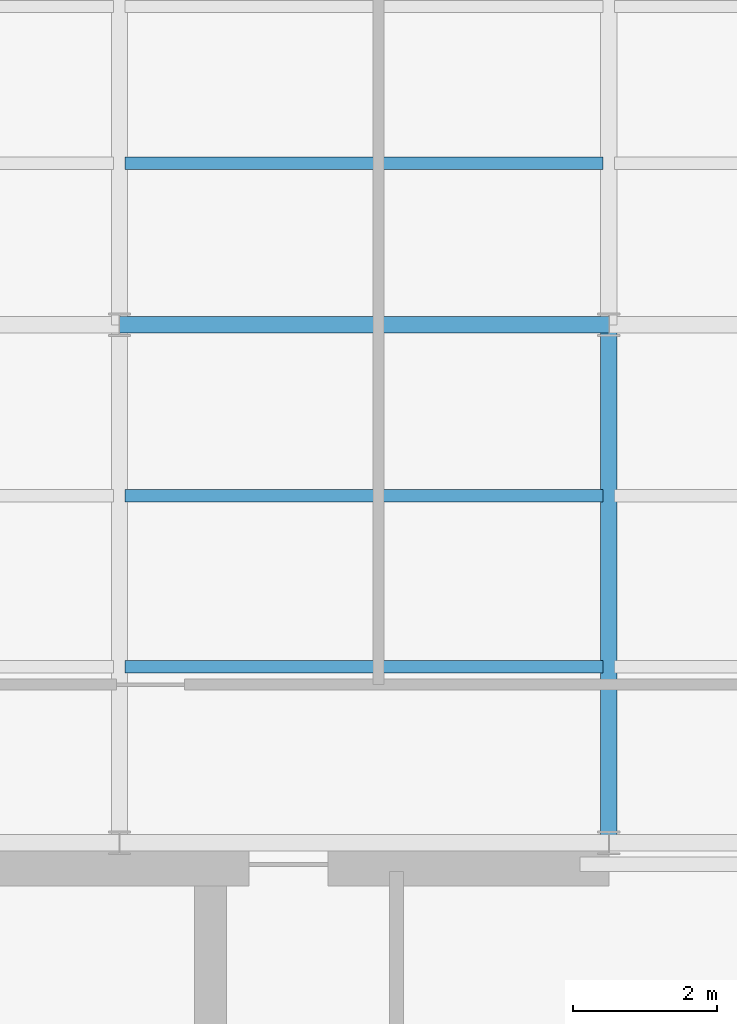
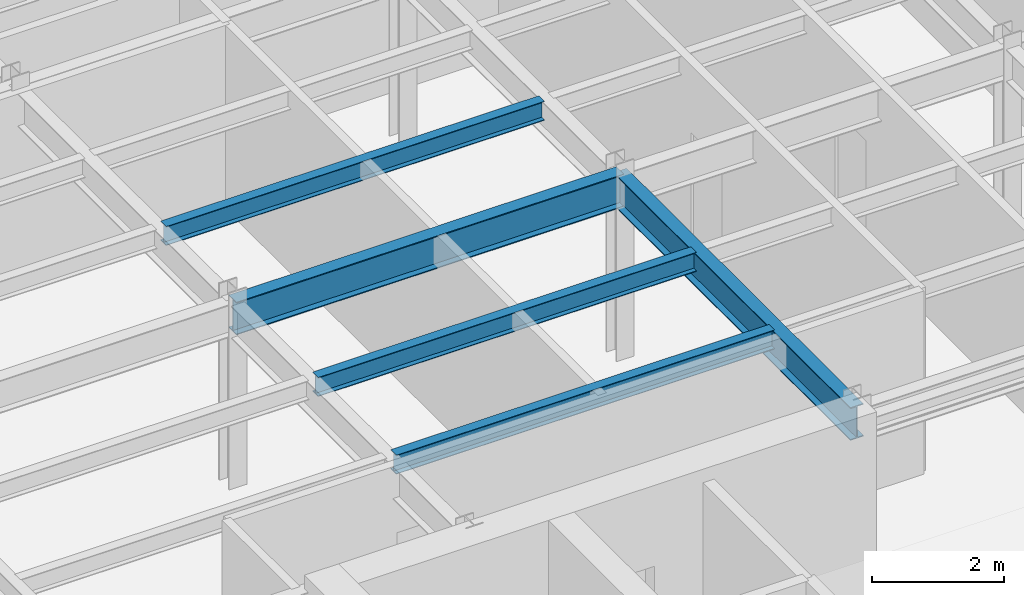
# One storey, part 6 of 22: 5 beams.
"""IFC4 building model written with IfcOpenShell, lengths in metres."""

import ifcopenshell
import ifcopenshell.guid

model = None  # the IFC model being written
_history = None  # IfcOwnerHistory: only IFC2X3 demands one
_inside = {}  # id of a spatial element -> (the spatial element, [elements in it])
_under = {}  # id of a project, library or spatial element -> (it, [spatial elements below it])
_declared = {}  # id of a project -> (the project, [libraries it declares])
_typed = {}  # id of a type object -> (the type object, [elements of that type])
_made_of = {}  # id of a material, layer set ... -> (it, [elements and type objects made of it])


def new_model(schema):
    """Start an empty IFC model of exactly this schema.

    Asked for "IFC4X3", IfcOpenShell would pick the latest addendum, in which some entities
    have other attributes; the version numbers below select the first issue.
    IFC2X3 requires an IfcOwnerHistory on every rooted entity: one is made here for all.
    """
    global model, _history
    if schema == "IFC4X3":
        model = ifcopenshell.file(schema_version=(4, 3, 0, 0))
    else:
        model = ifcopenshell.file(schema=schema)
    _inside.clear()
    _under.clear()
    _declared.clear()
    _typed.clear()
    _made_of.clear()
    _history = None
    if model.schema == "IFC2X3":
        org = make("IfcOrganization", Name="unknown")
        user = make(
            "IfcPersonAndOrganization",
            ThePerson=make("IfcPerson", FamilyName="unknown"),
            TheOrganization=org,
        )
        app = make(
            "IfcApplication",
            ApplicationDeveloper=org,
            Version="unknown",
            ApplicationFullName="unknown",
            ApplicationIdentifier="unknown",
        )
        _history = make(
            "IfcOwnerHistory",
            OwningUser=user,
            OwningApplication=app,
            ChangeAction="ADDED",
            CreationDate=0,
        )
    return model


def make(cls, **values):
    """One entity of the class cls with the attributes given. An attribute that is None is left unset."""
    return model.create_entity(
        cls, **{name: value for name, value in values.items() if value is not None}
    )


def rooted(cls, **values):
    """An entity with a GlobalId (a new one), such as an element, a storey or a relation."""
    return make(cls, GlobalId=ifcopenshell.guid.new(), OwnerHistory=_history, **values)


def si_unit(unit_type, name, prefix=None):
    """IfcSIUnit, for example si_unit("LENGTHUNIT", "METRE", prefix="MILLI")."""
    return make("IfcSIUnit", UnitType=unit_type, Prefix=prefix, Name=name)


def derived_unit(unit_type, elements):
    """IfcDerivedUnit: a product of units, each with its exponent."""
    return make(
        "IfcDerivedUnit",
        Elements=[
            make("IfcDerivedUnitElement", Unit=unit, Exponent=power)
            for unit, power in elements
        ],
        UnitType=unit_type,
    )


def assignment(units):
    """IfcUnitAssignment: the units of a project."""
    return None if units is None else make("IfcUnitAssignment", Units=units)


def point(xyz):
    """IfcCartesianPoint."""
    return None if xyz is None else make("IfcCartesianPoint", Coordinates=xyz)


def direction(xyz):
    """IfcDirection."""
    return None if xyz is None else make("IfcDirection", DirectionRatios=xyz)


def frame(location, z_axis=None, x_axis=None):
    """IfcAxis2Placement3D, a coordinate frame: its origin and axes. An axis left out is left unset."""
    return make(
        "IfcAxis2Placement3D",
        Location=point(location),
        Axis=direction(z_axis),
        RefDirection=direction(x_axis),
    )


def frame_2d(location, x_axis=None):
    """IfcAxis2Placement2D, a coordinate frame in the plane: its origin and x axis."""
    return make(
        "IfcAxis2Placement2D", Location=point(location), RefDirection=direction(x_axis)
    )


def origin():
    """The frame at (0, 0, 0) with its axes left unset."""
    return frame((0.0, 0.0, 0.0))


def origin_2d():
    """The frame at (0, 0) in the plane with its x axis left unset."""
    return frame_2d((0.0, 0.0))


def place(relative_to, where):
    """IfcLocalPlacement: puts the frame where relative to a parent placement (None: the world)."""
    return make(
        "IfcLocalPlacement", PlacementRelTo=relative_to, RelativePlacement=where
    )


def context(
    kind, dimensions, precision=None, world=None, true_north=None, identifier=None
):
    """IfcGeometricRepresentationContext, for example the 3D "Model" context."""
    return make(
        "IfcGeometricRepresentationContext",
        ContextIdentifier=identifier,
        ContextType=kind,
        CoordinateSpaceDimension=dimensions,
        Precision=precision,
        WorldCoordinateSystem=world,
        TrueNorth=true_north,
    )


def subcontext(parent, identifier, kind, view, scale=None):
    """IfcGeometricRepresentationSubContext, for example "Body" below "Model"."""
    return make(
        "IfcGeometricRepresentationSubContext",
        ContextIdentifier=identifier,
        ContextType=kind,
        ParentContext=parent,
        TargetScale=scale,
        TargetView=view,
    )


def project(units=None, contexts=None):
    """IfcProject with its units and contexts."""
    return rooted(
        "IfcProject",
        Name="project",
        RepresentationContexts=contexts,
        UnitsInContext=assignment(units),
    )


def spatial(cls, under=None, at=None, **own):
    """A site, building, storey or space (cls), placed at a placement, below another one or the project."""
    s = rooted(cls, ObjectPlacement=at, **own)
    if under is not None:
        _under.setdefault(under.id(), (under, []))[1].append(s)
    return s


def profile(cls, at=None, kind="AREA", **sizes):
    """A parametric profile (cls). Its sizes go by their IFC names, for example OverallWidth=200.0."""
    return make(cls, ProfileType=kind, Position=at, **sizes)


def i_section(**sizes):
    """IfcIShapeProfileDef."""
    return profile("IfcIShapeProfileDef", **sizes)


def extrude(swept, where, along, depth):
    """IfcExtrudedAreaSolid: the profile swept, set in the frame where, extruded along a direction by depth."""
    return make(
        "IfcExtrudedAreaSolid",
        SweptArea=swept,
        Position=where,
        ExtrudedDirection=direction(along),
        Depth=depth,
    )


def shape(context_of_items, identifier, shape_type, items):
    """IfcShapeRepresentation: the items that make up one representation, for example the "Body"."""
    return make(
        "IfcShapeRepresentation",
        ContextOfItems=context_of_items,
        RepresentationIdentifier=identifier,
        RepresentationType=shape_type,
        Items=items,
    )


def source(mapping_origin, context_of_items, identifier, shape_type, items):
    """IfcRepresentationMap: a shape defined once, which mapped items show again and again."""
    return make(
        "IfcRepresentationMap",
        MappingOrigin=mapping_origin,
        MappedRepresentation=shape(context_of_items, identifier, shape_type, items),
    )


def transform(
    local_origin,
    x_axis=None,
    y_axis=None,
    z_axis=None,
    scale=None,
    scale2=None,
    scale3=None,
    uniform=True,
):
    """IfcCartesianTransformationOperator3D, or its non-uniform kind. x_axis, y_axis, z_axis: its Axis1, 2, 3."""
    if uniform:
        return make(
            "IfcCartesianTransformationOperator3D",
            Axis1=direction(x_axis),
            Axis2=direction(y_axis),
            LocalOrigin=point(local_origin),
            Scale=scale,
            Axis3=direction(z_axis),
        )
    return make(
        "IfcCartesianTransformationOperator3DnonUniform",
        Axis1=direction(x_axis),
        Axis2=direction(y_axis),
        LocalOrigin=point(local_origin),
        Scale=scale,
        Axis3=direction(z_axis),
        Scale2=scale2,
        Scale3=scale3,
    )


def mapped(mapping_source, mapping_target):
    """IfcMappedItem: shows the shape of a source again, moved by a transform."""
    return make(
        "IfcMappedItem", MappingSource=mapping_source, MappingTarget=mapping_target
    )


def material(Name=None, Category=None):
    """IfcMaterial."""
    return make("IfcMaterial", Name=Name, Category=Category)


def material_profile(
    of_material, cross_section, Name=None, Category=None, Priority=None
):
    """IfcMaterialProfile: a cross section and its material."""
    return make(
        "IfcMaterialProfile",
        Name=Name,
        Material=of_material,
        Profile=cross_section,
        Priority=Priority,
        Category=Category,
    )


def profile_set(profiles, Name=None, composite=None):
    """IfcMaterialProfileSet."""
    return make(
        "IfcMaterialProfileSet",
        Name=Name,
        MaterialProfiles=profiles,
        CompositeProfile=composite,
    )


def made_of(thing, what):
    """Note that an element or type object is made of a material, layer set ...; save() writes the relation."""
    if what is not None:
        _made_of.setdefault(what.id(), (what, []))[1].append(thing)
    return thing


def type_object(cls, material=None, **own):
    """A type object (cls), such as IfcWallType, which elements share."""
    return made_of(rooted(cls, **own), material)


def element(
    cls,
    number,
    at=None,
    inside=None,
    cuts=None,
    type_object=None,
    material=None,
    context=None,
    identifier="Body",
    shape_type=None,
    held_by="IfcProductDefinitionShape",
    body=None,
    shapes=None,
    **own,
):
    """One element of the class cls, such as IfcWall. Its Tag is "e" and its number.

    at: its placement. inside: the storey or other place that contains it. cuts: it is an
    opening in that element (IfcRelVoidsElement). A single representation is given by context,
    identifier, shape_type and body (its items); several are given by shapes. held_by: the class
    of the entity that holds the representations. save() writes the other relations.
    """
    e = rooted(cls, Tag="e%d" % number, ObjectPlacement=at, **own)
    if body is not None:
        shapes = [shape(context, identifier, shape_type, body)]
    if shapes is not None:
        e.Representation = make(held_by, Representations=shapes)
    if inside is not None:
        _inside.setdefault(inside.id(), (inside, []))[1].append(e)
    if cuts is not None:
        rooted(
            "IfcRelVoidsElement", RelatingBuildingElement=cuts, RelatedOpeningElement=e
        )
    if type_object is not None:
        _typed.setdefault(type_object.id(), (type_object, []))[1].append(e)
    return made_of(e, material)


def aggregate(whole, parts):
    """IfcRelAggregates: a whole, such as a stair, and the parts it consists of."""
    return rooted("IfcRelAggregates", RelatingObject=whole, RelatedObjects=parts)


def save(model, path):
    """Write the relations noted so far, then the file.

    IfcRelAggregates (storeys below a building ...), IfcRelContainedInSpatialStructure (elements
    in a storey), IfcRelDefinesByType, IfcRelAssociatesMaterial and IfcRelDeclares: one each for
    every whole, place, type object, material and project.
    """
    for whole, parts in _under.values():
        aggregate(whole, parts)
    for where, things in _inside.values():
        rooted(
            "IfcRelContainedInSpatialStructure",
            RelatedElements=things,
            RelatingStructure=where,
        )
    for kind, things in _typed.values():
        rooted("IfcRelDefinesByType", RelatedObjects=things, RelatingType=kind)
    for what, things in _made_of.values():
        rooted("IfcRelAssociatesMaterial", RelatedObjects=things, RelatingMaterial=what)
    for by, libraries in _declared.values():
        rooted("IfcRelDeclares", RelatingContext=by, RelatedDefinitions=libraries)
    model.write(path)


model = new_model("IFC4")

# Units and contexts
model_context = context("Model", 3, precision=1e-05, world=origin(), true_north=direction((0.0, 1.0)))
body_context = subcontext(model_context, "Body", "Model", "MODEL_VIEW")
ifc_project = project(units=[si_unit("LENGTHUNIT", "METRE"), si_unit("AREAUNIT", "SQUARE_METRE"), si_unit("VOLUMEUNIT", "CUBIC_METRE"), si_unit("PLANEANGLEUNIT", "RADIAN"), si_unit("MASSUNIT", "GRAM", prefix="KILO"), derived_unit("THERMALTRANSMITTANCEUNIT", [(si_unit("POWERUNIT", "WATT"), 1), (si_unit("LENGTHUNIT", "METRE"), -2), (si_unit("THERMODYNAMICTEMPERATUREUNIT", "KELVIN"), -1)])], contexts=[model_context])

# Site, building, storey
site_placement = place(None, origin())
site = spatial("IfcSite", under=ifc_project, at=site_placement, CompositionType="ELEMENT")
building_placement = place(site_placement, origin())
building = spatial("IfcBuilding", under=site, at=building_placement, Name="Skarnbrae Concourse Arena and Tower", CompositionType="ELEMENT")
storey_placement = place(building_placement, frame((0.0, 0.0, 192.25)))
storey = spatial("IfcBuildingStorey", under=building, at=storey_placement, Name="L49", CompositionType="ELEMENT", Elevation=192.25)

# Beams
ifc_material = material(Name="Steel CSA G40.21 350W", Category="steel")
ifc_material_profile_1 = material_profile(ifc_material, i_section(OverallWidth=0.22802734375, OverallDepth=0.60791015625, WebThickness=0.01123046875, FlangeThickness=0.017333984375, at=origin_2d()), Name="W610X113")
ifc_profile_set_1 = profile_set([ifc_material_profile_1], Name="Steel CSA G40.21 350W")
beam_type_1 = type_object("IfcBeamType", Name="BM-GIRD-W610X113", PredefinedType="BEAM", material=ifc_profile_set_1)
shared_shape_1 = source(origin(), body_context, "Body", "SweptSolid", [
    extrude(i_section(OverallWidth=0.22802734375, OverallDepth=0.60791015625, WebThickness=0.01123046875, FlangeThickness=0.017333984375, at=origin_2d()), origin(), (0.0, 0.0, 1.0), 6.7998046875),
])
beam_1_placement = place(storey_placement, frame((7.60009765625, 21.199951171875, 3.095947265625), z_axis=(1.0, 0.0, 0.0), x_axis=(0.0, 1.0, 0.0)))
element("IfcBeam", 1, at=beam_1_placement, inside=storey, type_object=beam_type_1, Name="L49 Primary E-W girder Y21.2-2", PredefinedType="BEAM", context=body_context, shape_type="MappedRepresentation", body=[
    mapped(shared_shape_1, transform((0.0, 0.0, 0.0))),
])
shared_shape_2 = source(origin(), body_context, "Body", "SweptSolid", [
    extrude(i_section(OverallWidth=0.22802734375, OverallDepth=0.60791015625, WebThickness=0.01123046875, FlangeThickness=0.017333984375, at=origin_2d()), origin(), (0.0, 0.0, 1.0), 7.199951171875),
])
beam_2_placement = place(storey_placement, frame((14.39990234375, 14.0, 3.095947265625), z_axis=(0.0, 1.0, 0.0), x_axis=(-1.0, 0.0, 0.0)))
element("IfcBeam", 2, at=beam_2_placement, inside=storey, type_object=beam_type_1, Name="L49 Primary N-S girder X14.4-1", PredefinedType="BEAM", context=body_context, shape_type="MappedRepresentation", body=[
    mapped(shared_shape_2, transform((0.0, 0.0, 0.0))),
])
ifc_material_profile_2 = material_profile(ifc_material, i_section(OverallWidth=0.1708984375, OverallDepth=0.35498046875, WebThickness=0.007080078125, FlangeThickness=0.01171875, at=origin_2d()), Name="W360X51")
ifc_profile_set_2 = profile_set([ifc_material_profile_2], Name="Steel CSA G40.21 350W")
beam_type_2 = type_object("IfcBeamType", Name="BM-JOIST-W360X51", PredefinedType="JOIST", material=ifc_profile_set_2)
shared_shape_3 = source(origin(), body_context, "Body", "SweptSolid", [
    extrude(i_section(OverallWidth=0.1708984375, OverallDepth=0.35498046875, WebThickness=0.007080078125, FlangeThickness=0.01171875, at=origin_2d()), origin(), (0.0, 0.0, 1.0), 6.64013671875),
])
for number, where, z_axis, x_axis, name in (
    (3, (7.679931640625, 16.447998046875, 3.222412109375), (1.0, 0.0, 0.0), (0.0, 1.0, 0.0), "L49 Secondary floor joist 1.1.2"),
    (4, (7.679931640625, 18.823974609375, 3.222412109375), (1.0, 0.0, 0.0), (0.0, 1.0, 0.0), "L49 Secondary floor joist 1.2.2"),
    (5, (7.679931640625, 23.444091796875, 3.222412109375), (1.0, 0.0, 0.0), (0.0, 1.0, 0.0), "L49 Secondary floor joist 2.1.2"),
):
    element("IfcBeam", number, at=place(storey_placement, frame(where, z_axis=z_axis, x_axis=x_axis)), inside=storey, type_object=beam_type_2, Name=name, PredefinedType="JOIST", context=body_context, shape_type="MappedRepresentation", body=[
        mapped(shared_shape_3, transform((0.0, 0.0, 0.0))),
    ])

save(model, "model.ifc")
